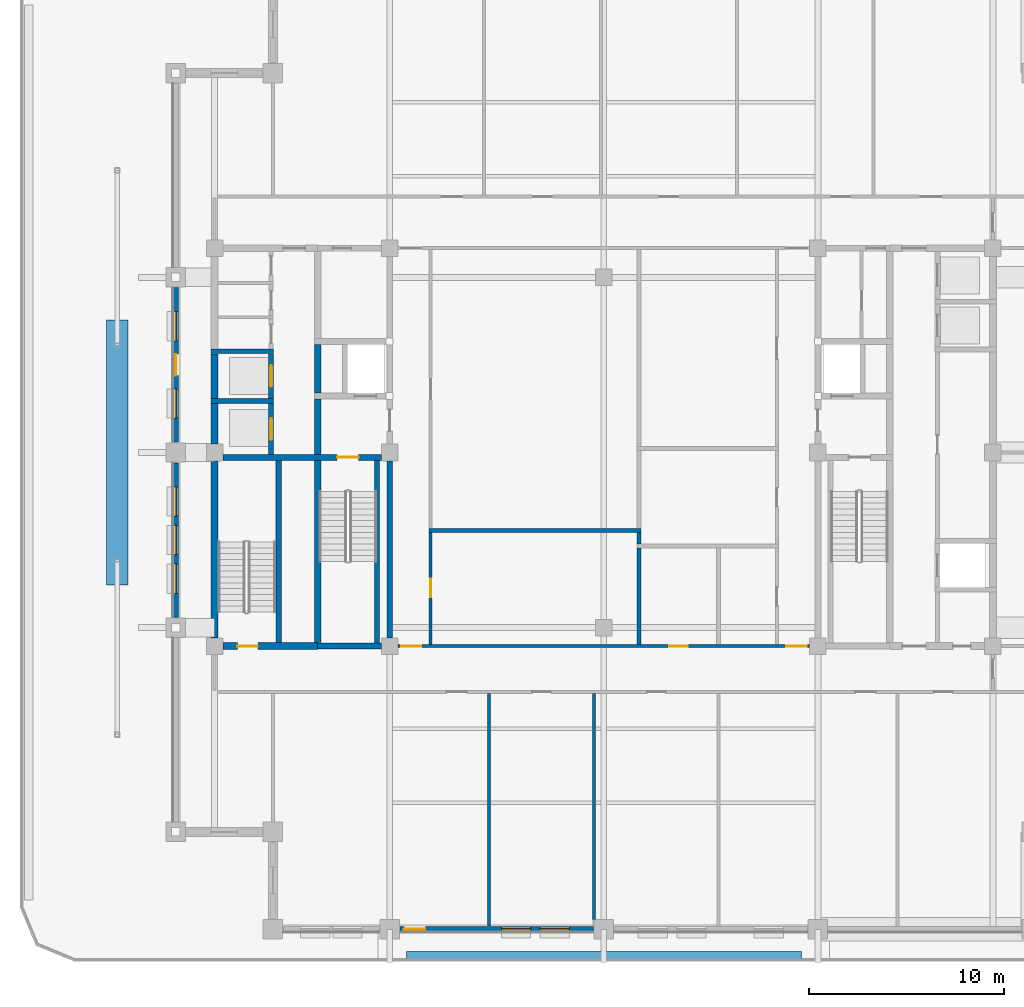
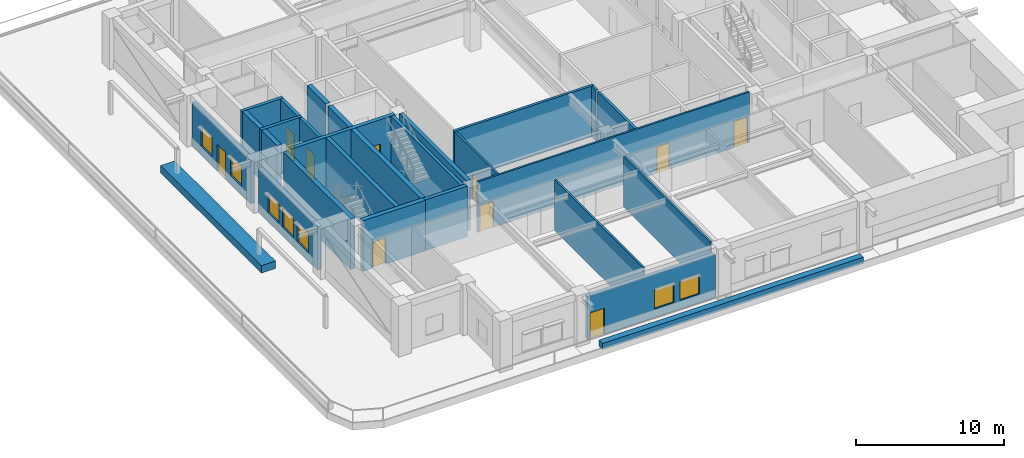
# One storey, part 8 of 20: 28 walls, 10 doors, 7 windows, 17 openings.
"""IFC4 building model written with IfcOpenShell, lengths in metres."""

from ifc_helpers import new_model, si_unit, direction, frame, frame_2d, origin, place, context, subcontext, project, spatial, rectangle, extrude, material, layer, layer_set, type_object, element, fill, save


model = new_model("IFC4")

# Units and contexts
model_context = context("Model", 3, precision=1e-05, world=origin(), true_north=direction((0.0, 1.0)))
body_context = subcontext(model_context, "Body", "Model", "MODEL_VIEW")
ifc_project = project(units=[si_unit("LENGTHUNIT", "METRE"), si_unit("AREAUNIT", "SQUARE_METRE"), si_unit("VOLUMEUNIT", "CUBIC_METRE"), si_unit("PLANEANGLEUNIT", "RADIAN"), si_unit("MASSUNIT", "GRAM", prefix="KILO")], contexts=[model_context])

# Site, building, storey
site_placement = place(None, origin())
site = spatial("IfcSite", under=ifc_project, at=site_placement, CompositionType="ELEMENT")
building_placement = place(site_placement, origin())
building = spatial("IfcBuilding", under=site, at=building_placement, Name="Zulmaris Gate Convention Tower", CompositionType="ELEMENT")
storey_placement = place(building_placement, frame((0.0, 0.0, 158.23974609375)))
storey = spatial("IfcBuildingStorey", under=building, at=storey_placement, Name="L40", CompositionType="ELEMENT", Elevation=158.23974609375)

# Walls
ifc_material_1 = material(Name="Concrete C50/60", Category="concrete")
ifc_layer_1 = layer(ifc_material_1, 0.25, Name="Concrete C50/60")
ifc_layer_set_1 = layer_set([ifc_layer_1], Name="Concrete C50/60")
wall_type_1 = type_object("IfcWallType", Name="CORE-250", PredefinedType="SOLIDWALL", material=ifc_layer_set_1)
for number, where, z_axis, x_axis, name in (
    (1, (-20.175048828125, 2.64990234375, 0.0), (0.0, 0.0, 1.0), (1.0, 0.0, 0.0), "WL-L40-009"),
    (2, (-20.175048828125, 5.199951171875, 0.0), (0.0, 0.0, 1.0), (1.0, 0.0, 0.0), "WL-L40-012"),
):
    element("IfcWall", number, at=place(storey_placement, frame(where, z_axis=z_axis, x_axis=x_axis)), inside=storey, type_object=wall_type_1, Name=name, PredefinedType="SOLIDWALL", context=body_context, shape_type="SweptSolid", body=[
        extrude(rectangle(XDim=3.199951171875, YDim=0.25, at=frame_2d((1.60009765625, 0.0))), origin(), (0.0, 0.0, 1.0), 4.170166015625),
    ])

# Wall, opening, door
wall_1_placement = place(storey_placement, frame((-17.10009765625, -0.097900390625, 0.0), z_axis=(0.0, 0.0, 1.0), x_axis=(0.0, 1.0, 0.0)))
wall_1 = element("IfcWall", 3, at=wall_1_placement, inside=storey, type_object=wall_type_1, Name="WL-L40-037", PredefinedType="SOLIDWALL", context=body_context, shape_type="SweptSolid", body=[
    extrude(rectangle(XDim=2.620849609375, YDim=0.25, at=frame_2d((1.310546875, 0.0))), origin(), (0.0, 0.0, 1.0), 4.170166015625),
])
opening_1_placement = place(wall_1_placement, frame((0.748046875, 0.0, 0.0)))
opening_1 = element("IfcOpeningElement", 4, at=opening_1_placement, cuts=wall_1, Name="Opening D-06", PredefinedType="OPENING", context=body_context, shape_type="SweptSolid", body=[
    extrude(rectangle(XDim=1.10009765625, YDim=2.199951171875, at=frame_2d((0.550048828125, 1.10009765625))), frame((0.0, 0.135009765625, 0.0), z_axis=(0.0, -1.0, 0.0), x_axis=(1.0, 0.0, 0.0)), (0.0, 0.0, 1.0), 0.27001953125),
])
ifc_material_2 = material(Name="Brushed Stainless Steel", Category="steel")
door_type_1 = type_object("IfcDoorType", Name="LD-1100", OperationType="NOTDEFINED", PredefinedType="DOOR", material=ifc_material_2)
door_1_placement = place(opening_1_placement, origin())
door_1 = element("IfcDoor", 5, at=door_1_placement, inside=storey, type_object=door_type_1, Name="L40 Lift Landing Door HP-03 11", OperationType="SLIDING_TO_LEFT", OverallHeight=2.199951171875, OverallWidth=1.10009765625, PredefinedType="DOOR", context=body_context, shape_type="SweptSolid", body=[
    extrude(rectangle(XDim=1.10009765625, YDim=2.199951171875, at=frame_2d((0.550048828125, 1.10009765625))), frame((0.0, 0.02490234375, 0.0), z_axis=(0.0, -1.0, 0.0), x_axis=(1.0, 0.0, 0.0)), (0.0, 0.0, 1.0), 0.050048828125),
])
fill(opening_1, door_1)

wall_2_placement = place(storey_placement, frame((-17.10009765625, 2.777099609375, 0.0), z_axis=(0.0, 0.0, 1.0), x_axis=(0.0, 1.0, 0.0)))
wall_2 = element("IfcWall", 6, at=wall_2_placement, inside=storey, type_object=wall_type_1, Name="WL-L40-038", PredefinedType="SOLIDWALL", context=body_context, shape_type="SweptSolid", body=[
    extrude(rectangle(XDim=2.2958984375, YDim=0.25, at=frame_2d((1.14794921875, 0.0))), origin(), (0.0, 0.0, 1.0), 4.170166015625),
])
opening_2_placement = place(wall_2_placement, frame((0.597900390625, 0.0, 0.0)))
opening_2 = element("IfcOpeningElement", 7, at=opening_2_placement, cuts=wall_2, Name="Opening D-06", PredefinedType="OPENING", context=body_context, shape_type="SweptSolid", body=[
    extrude(rectangle(XDim=1.10009765625, YDim=2.199951171875, at=frame_2d((0.550048828125, 1.10009765625))), frame((0.0, 0.135009765625, 0.0), z_axis=(0.0, -1.0, 0.0), x_axis=(1.0, 0.0, 0.0)), (0.0, 0.0, 1.0), 0.27001953125),
])
door_2_placement = place(opening_2_placement, origin())
door_2 = element("IfcDoor", 8, at=door_2_placement, inside=storey, type_object=door_type_1, Name="L40 Lift Landing Door HP-04 12", OperationType="SLIDING_TO_LEFT", OverallHeight=2.199951171875, OverallWidth=1.10009765625, PredefinedType="DOOR", context=body_context, shape_type="SweptSolid", body=[
    extrude(rectangle(XDim=1.10009765625, YDim=2.199951171875, at=frame_2d((0.550048828125, 1.10009765625))), frame((0.0, 0.02490234375, 0.0), z_axis=(0.0, -1.0, 0.0), x_axis=(1.0, 0.0, 0.0)), (0.0, 0.0, 1.0), 0.050048828125),
])
fill(opening_2, door_2)

# Walls
wall_3_placement = place(storey_placement, frame((-11.64990234375, -9.798095703125, 0.0), z_axis=(0.0, 0.0, 1.0), x_axis=(0.0, 1.0, 0.0)))
element("IfcWall", 9, at=wall_3_placement, inside=storey, type_object=wall_type_1, Name="WL-L40-045", PredefinedType="SOLIDWALL", context=body_context, shape_type="SweptSolid", body=[
    extrude(rectangle(XDim=9.39599609375, YDim=0.25, at=frame_2d((4.697998046875, 0.0))), origin(), (0.0, 0.0, 1.0), 4.170166015625),
])
ifc_layer_2 = layer(ifc_material_1, 0.300048828125, Name="Concrete C50/60")
ifc_layer_set_2 = layer_set([ifc_layer_2], Name="Concrete C50/60")
wall_type_2 = type_object("IfcWallType", Name="CORE-300", PredefinedType="SHEAR", material=ifc_layer_set_2)
wall_4_placement = place(storey_placement, frame((-14.699951171875, -9.949951171875, 0.0), z_axis=(0.0, 0.0, 1.0), x_axis=(1.0, 0.0, 0.0)))
element("IfcWall", 10, at=wall_4_placement, inside=storey, type_object=wall_type_2, Name="WL-L40-002", PredefinedType="SHEAR", context=body_context, shape_type="SweptSolid", body=[
    extrude(rectangle(XDim=3.27099609375, YDim=0.300048828125, at=frame_2d((1.635498046875, 0.0))), origin(), (0.0, 0.0, 1.0), 4.170166015625),
])

# Wall, opening, door
wall_5_placement = place(storey_placement, frame((-19.571044921875, -0.25, 0.0), z_axis=(0.0, 0.0, 1.0), x_axis=(1.0, 0.0, 0.0)))
wall_5 = element("IfcWall", 11, at=wall_5_placement, inside=storey, type_object=wall_type_2, Name="WL-L40-007", PredefinedType="SHEAR", context=body_context, shape_type="SweptSolid", body=[
    extrude(rectangle(XDim=8.14208984375, YDim=0.300048828125, at=frame_2d((4.071044921875, 0.0))), origin(), (0.0, 0.0, 1.0), 4.170166015625),
])
opening_3_placement = place(wall_5_placement, frame((5.87109375, 0.0, 0.0)))
opening_3 = element("IfcOpeningElement", 12, at=opening_3_placement, cuts=wall_5, Name="Opening D-08", PredefinedType="OPENING", context=body_context, shape_type="SweptSolid", body=[
    extrude(rectangle(XDim=1.10009765625, YDim=2.14990234375, at=frame_2d((0.550048828125, 1.074951171875))), frame((0.0, 0.16015625, 0.0), z_axis=(0.0, -1.0, 0.0), x_axis=(1.0, 0.0, 0.0)), (0.0, 0.0, 1.0), 0.320068359375),
])
ifc_material_3 = material(Name="Fire-Rated Steel", Category="steel")
door_type_2 = type_object("IfcDoorType", Name="DR-1100-FD", OperationType="NOTDEFINED", PredefinedType="DOOR", material=ifc_material_3)
door_3_placement = place(opening_3_placement, origin())
door_3 = element("IfcDoor", 13, at=door_3_placement, inside=storey, type_object=door_type_2, Name="L40 Exit Stair ST-1 Door 01", OperationType="SINGLE_SWING_RIGHT", OverallHeight=2.14990234375, OverallWidth=1.10009765625, PredefinedType="DOOR", context=body_context, shape_type="SweptSolid", body=[
    extrude(rectangle(XDim=1.10009765625, YDim=2.14990234375, at=frame_2d((0.550048828125, 1.074951171875))), frame((0.0, 0.02490234375, 0.0), z_axis=(0.0, -1.0, 0.0), x_axis=(1.0, 0.0, 0.0)), (0.0, 0.0, 1.0), 0.050048828125),
])
fill(opening_3, door_3)

# Walls
wall_6_placement = place(storey_placement, frame((-16.699951171875, -9.77294921875, 0.0), z_axis=(0.0, 0.0, 1.0), x_axis=(0.0, 1.0, 0.0)))
element("IfcWall", 14, at=wall_6_placement, inside=storey, type_object=wall_type_2, Name="WL-L40-039", PredefinedType="SHEAR", context=body_context, shape_type="SweptSolid", body=[
    extrude(rectangle(XDim=9.370849609375, YDim=0.300048828125, at=frame_2d((4.685546875, 0.0))), origin(), (0.0, 0.0, 1.0), 4.170166015625),
])
wall_7_placement = place(storey_placement, frame((-11.0, -9.52099609375, 0.0), z_axis=(0.0, 0.0, 1.0), x_axis=(0.0, 1.0, 0.0)))
element("IfcWall", 15, at=wall_7_placement, inside=storey, type_object=wall_type_2, Name="WL-L40-046", PredefinedType="SHEAR", context=body_context, shape_type="SweptSolid", body=[
    extrude(rectangle(XDim=9.092041015625, YDim=0.300048828125, at=frame_2d((4.5458984375, 0.0))), origin(), (0.0, 0.0, 1.0), 4.170166015625),
])

# Wall, opening, door
ifc_material_4 = material(Name="Concrete C55/67", Category="concrete")
ifc_layer_3 = layer(ifc_material_4, 0.35009765625, Name="Concrete C55/67")
ifc_layer_set_3 = layer_set([ifc_layer_3], Name="Concrete C55/67")
wall_type_3 = type_object("IfcWallType", Name="CORE-350", PredefinedType="SHEAR", material=ifc_layer_set_3)
wall_8_placement = place(storey_placement, frame((-19.571044921875, -9.949951171875, 0.0), z_axis=(0.0, 0.0, 1.0), x_axis=(1.0, 0.0, 0.0)))
wall_8 = element("IfcWall", 16, at=wall_8_placement, inside=storey, type_object=wall_type_3, Name="WL-L40-001", PredefinedType="SHEAR", context=body_context, shape_type="SweptSolid", body=[
    extrude(rectangle(XDim=4.87109375, YDim=0.35009765625, at=frame_2d((2.435546875, 0.0))), origin(), (0.0, 0.0, 1.0), 4.170166015625),
])
opening_4_placement = place(wall_8_placement, frame((0.74609375, 0.0, 0.0)))
opening_4 = element("IfcOpeningElement", 17, at=opening_4_placement, cuts=wall_8, Name="Opening D-09", PredefinedType="OPENING", context=body_context, shape_type="SweptSolid", body=[
    extrude(rectangle(XDim=1.050048828125, YDim=2.14990234375, at=frame_2d((0.52490234375, 1.074951171875))), frame((0.0, 0.18505859375, 0.0), z_axis=(0.0, -1.0, 0.0), x_axis=(1.0, 0.0, 0.0)), (0.0, 0.0, 1.0), 0.3701171875),
])
door_type_3 = type_object("IfcDoorType", Name="DR-1050-FD", OperationType="NOTDEFINED", PredefinedType="DOOR", material=ifc_material_3)
door_4_placement = place(opening_4_placement, origin())
door_4 = element("IfcDoor", 18, at=door_4_placement, inside=storey, type_object=door_type_3, Name="L40 Exit Stair ST-3 Door 10", OperationType="SINGLE_SWING_LEFT", OverallHeight=2.14990234375, OverallWidth=1.050048828125, PredefinedType="DOOR", context=body_context, shape_type="SweptSolid", body=[
    extrude(rectangle(XDim=1.050048828125, YDim=2.14990234375, at=frame_2d((0.52490234375, 1.074951171875))), frame((0.0, 0.02490234375, 0.0), z_axis=(0.0, -1.0, 0.0), x_axis=(1.0, 0.0, 0.0)), (0.0, 0.0, 1.0), 0.050048828125),
])
fill(opening_4, door_4)

# Walls
wall_9_placement = place(storey_placement, frame((-20.0, -9.52099609375, 0.0), z_axis=(0.0, 0.0, 1.0), x_axis=(0.0, 1.0, 0.0)))
element("IfcWall", 19, at=wall_9_placement, inside=storey, type_object=wall_type_3, Name="WL-L40-033", PredefinedType="SHEAR", context=body_context, shape_type="SweptSolid", body=[
    extrude(rectangle(XDim=9.092041015625, YDim=0.35009765625, at=frame_2d((4.5458984375, 0.0))), origin(), (0.0, 0.0, 1.0), 4.170166015625),
])
wall_10_placement = place(storey_placement, frame((-20.0, 0.428955078125, 0.0), z_axis=(0.0, 0.0, 1.0), x_axis=(0.0, 1.0, 0.0)))
element("IfcWall", 20, at=wall_10_placement, inside=storey, type_object=wall_type_3, Name="WL-L40-034", PredefinedType="SHEAR", context=body_context, shape_type="SweptSolid", body=[
    extrude(rectangle(XDim=2.093994140625, YDim=0.35009765625, at=frame_2d((1.046875, 0.0))), origin(), (0.0, 0.0, 1.0), 4.170166015625),
])
wall_11_placement = place(storey_placement, frame((-20.0, 2.777099609375, 0.0), z_axis=(0.0, 0.0, 1.0), x_axis=(0.0, 1.0, 0.0)))
element("IfcWall", 21, at=wall_11_placement, inside=storey, type_object=wall_type_3, Name="WL-L40-035", PredefinedType="SHEAR", context=body_context, shape_type="SweptSolid", body=[
    extrude(rectangle(XDim=2.2958984375, YDim=0.35009765625, at=frame_2d((1.14794921875, 0.0))), origin(), (0.0, 0.0, 1.0), 4.170166015625),
])
wall_12_placement = place(storey_placement, frame((-14.699951171875, -9.77294921875, 0.0), z_axis=(0.0, 0.0, 1.0), x_axis=(0.0, 1.0, 0.0)))
element("IfcWall", 22, at=wall_12_placement, inside=storey, type_object=wall_type_3, Name="WL-L40-040", PredefinedType="SHEAR", context=body_context, shape_type="SweptSolid", body=[
    extrude(rectangle(XDim=9.370849609375, YDim=0.35009765625, at=frame_2d((4.685546875, 0.0))), origin(), (0.0, 0.0, 1.0), 4.170166015625),
])
wall_13_placement = place(storey_placement, frame((-14.699951171875, -0.097900390625, 0.0), z_axis=(0.0, 0.0, 1.0), x_axis=(0.0, 1.0, 0.0)))
element("IfcWall", 23, at=wall_13_placement, inside=storey, type_object=wall_type_3, Name="WL-L40-041", PredefinedType="SHEAR", context=body_context, shape_type="SweptSolid", body=[
    extrude(rectangle(XDim=2.845947265625, YDim=0.35009765625, at=frame_2d((1.4228515625, 0.0))), origin(), (0.0, 0.0, 1.0), 4.170166015625),
])
wall_14_placement = place(storey_placement, frame((-14.699951171875, 3.052001953125, 0.0), z_axis=(0.0, 0.0, 1.0), x_axis=(0.0, 1.0, 0.0)))
element("IfcWall", 24, at=wall_14_placement, inside=storey, type_object=wall_type_3, Name="WL-L40-042", PredefinedType="SHEAR", context=body_context, shape_type="SweptSolid", body=[
    extrude(rectangle(XDim=2.49609375, YDim=0.35009765625, at=frame_2d((1.248046875, 0.0))), origin(), (0.0, 0.0, 1.0), 4.170166015625),
])

# Wall, openings, doors
ifc_material_5 = material(Name="Gypsum Metal Stud Partition")
ifc_layer_4 = layer(ifc_material_5, 0.14990234375, Name="Gypsum Metal Stud Partition")
ifc_layer_set_4 = layer_set([ifc_layer_4], Name="Gypsum Metal Stud Partition")
wall_type_4 = type_object("IfcWallType", Name="PART-150", PredefinedType="PARTITIONING", material=ifc_layer_set_4)
wall_15_placement = place(storey_placement, frame((-10.569091796875, -9.949951171875, 0.0), z_axis=(0.0, 0.0, 1.0), x_axis=(1.0, 0.0, 0.0)))
wall_15 = element("IfcWall", 25, at=wall_15_placement, inside=storey, type_object=wall_type_4, Name="WL-L40-022", PredefinedType="PARTITIONING", context=body_context, shape_type="SweptSolid", body=[
    extrude(rectangle(XDim=21.13818359375, YDim=0.14990234375, at=frame_2d((10.569091796875, 0.0))), origin(), (0.0, 0.0, 1.0), 4.170166015625),
])
opening_5_placement = place(wall_15_placement, frame((0.14990234375, 0.0, 0.0)))
opening_5 = element("IfcOpeningElement", 26, at=opening_5_placement, cuts=wall_15, Name="Opening D-09", PredefinedType="OPENING", context=body_context, shape_type="SweptSolid", body=[
    extrude(rectangle(XDim=1.050048828125, YDim=2.14990234375, at=frame_2d((0.52490234375, 1.074951171875))), frame((0.0, 0.0849609375, 0.0), z_axis=(0.0, -1.0, 0.0), x_axis=(1.0, 0.0, 0.0)), (0.0, 0.0, 1.0), 0.169921875),
])
opening_6_placement = place(wall_15_placement, frame((19.93798828125, 0.0, 0.0)))
opening_6 = element("IfcOpeningElement", 27, at=opening_6_placement, cuts=wall_15, Name="Opening D-09", PredefinedType="OPENING", context=body_context, shape_type="SweptSolid", body=[
    extrude(rectangle(XDim=1.050048828125, YDim=2.14990234375, at=frame_2d((0.52490234375, 1.074951171875))), frame((0.0, 0.0849609375, 0.0), z_axis=(0.0, -1.0, 0.0), x_axis=(1.0, 0.0, 0.0)), (0.0, 0.0, 1.0), 0.169921875),
])
opening_7_placement = place(wall_15_placement, frame((13.944091796875, 0.0, 0.0)))
opening_7 = element("IfcOpeningElement", 28, at=opening_7_placement, cuts=wall_15, Name="Opening D-11", PredefinedType="OPENING", context=body_context, shape_type="SweptSolid", body=[
    extrude(rectangle(XDim=0.949951171875, YDim=2.14990234375, at=frame_2d((0.47509765625, 1.074951171875))), frame((0.0, 0.0849609375, 0.0), z_axis=(0.0, -1.0, 0.0), x_axis=(1.0, 0.0, 0.0)), (0.0, 0.0, 1.0), 0.169921875),
])
door_5_placement = place(opening_5_placement, origin())
door_5 = element("IfcDoor", 29, at=door_5_placement, inside=storey, type_object=door_type_3, Name="L40 SW Hotel Loop Door 25", OperationType="SINGLE_SWING_LEFT", OverallHeight=2.14990234375, OverallWidth=1.050048828125, PredefinedType="DOOR", context=body_context, shape_type="SweptSolid", body=[
    extrude(rectangle(XDim=1.050048828125, YDim=2.14990234375, at=frame_2d((0.52490234375, 1.074951171875))), frame((0.0, 0.02490234375, 0.0), z_axis=(0.0, -1.0, 0.0), x_axis=(1.0, 0.0, 0.0)), (0.0, 0.0, 1.0), 0.050048828125),
])
fill(opening_5, door_5)
door_6_placement = place(opening_6_placement, origin())
door_6 = element("IfcDoor", 30, at=door_6_placement, inside=storey, type_object=door_type_3, Name="L40 SE Hotel Loop Door 27", OperationType="SINGLE_SWING_LEFT", OverallHeight=2.14990234375, OverallWidth=1.050048828125, PredefinedType="DOOR", context=body_context, shape_type="SweptSolid", body=[
    extrude(rectangle(XDim=1.050048828125, YDim=2.14990234375, at=frame_2d((0.52490234375, 1.074951171875))), frame((0.0, 0.02490234375, 0.0), z_axis=(0.0, -1.0, 0.0), x_axis=(1.0, 0.0, 0.0)), (0.0, 0.0, 1.0), 0.050048828125),
])
fill(opening_6, door_6)
ifc_material_6 = material(Name="Fire-Rated Timber", Category="wood")
door_type_4 = type_object("IfcDoorType", Name="DR-950-FD", OperationType="NOTDEFINED", PredefinedType="DOOR", material=ifc_material_6)
door_7_placement = place(opening_7_placement, origin())
door_7 = element("IfcDoor", 31, at=door_7_placement, inside=storey, type_object=door_type_4, Name="L40 Print Room Door 43", OperationType="SINGLE_SWING_LEFT", OverallHeight=2.14990234375, OverallWidth=0.949951171875, PredefinedType="DOOR", context=body_context, shape_type="SweptSolid", body=[
    extrude(rectangle(XDim=0.949951171875, YDim=2.14990234375, at=frame_2d((0.47509765625, 1.074951171875))), frame((0.0, 0.02490234375, 0.0), z_axis=(0.0, -1.0, 0.0), x_axis=(1.0, 0.0, 0.0)), (0.0, 0.0, 1.0), 0.050048828125),
])
fill(opening_7, door_7)

# Wall, opening, door
wall_16_placement = place(storey_placement, frame((-8.89990234375, -9.8720703125, 0.0), z_axis=(0.0, 0.0, 1.0), x_axis=(0.0, 1.0, 0.0)))
wall_16 = element("IfcWall", 32, at=wall_16_placement, inside=storey, type_object=wall_type_4, Name="WL-L40-075", PredefinedType="PARTITIONING", context=body_context, shape_type="SweptSolid", body=[
    extrude(rectangle(XDim=5.76904296875, YDim=0.14990234375, at=frame_2d((2.884521484375, 0.0))), origin(), (0.0, 0.0, 1.0), 4.170166015625),
])
opening_8_placement = place(wall_16_placement, frame((2.427001953125, 0.0, 0.0)))
opening_8 = element("IfcOpeningElement", 33, at=opening_8_placement, cuts=wall_16, Name="Opening D-11", PredefinedType="OPENING", context=body_context, shape_type="SweptSolid", body=[
    extrude(rectangle(XDim=0.949951171875, YDim=2.14990234375, at=frame_2d((0.47509765625, 1.074951171875))), frame((0.0, 0.0849609375, 0.0), z_axis=(0.0, -1.0, 0.0), x_axis=(1.0, 0.0, 0.0)), (0.0, 0.0, 1.0), 0.169921875),
])
door_8_placement = place(opening_8_placement, origin())
door_8 = element("IfcDoor", 34, at=door_8_placement, inside=storey, type_object=door_type_4, Name="L40 Wellness Pantry Door 39", OperationType="SINGLE_SWING_LEFT", OverallHeight=2.14990234375, OverallWidth=0.949951171875, PredefinedType="DOOR", context=body_context, shape_type="SweptSolid", body=[
    extrude(rectangle(XDim=0.949951171875, YDim=2.14990234375, at=frame_2d((0.47509765625, 1.074951171875))), frame((0.0, 0.02490234375, 0.0), z_axis=(0.0, -1.0, 0.0), x_axis=(1.0, 0.0, 0.0)), (0.0, 0.0, 1.0), 0.050048828125),
])
fill(opening_8, door_8)

# Walls
wall_17_placement = place(storey_placement, frame((-5.89990234375, -24.3349609375, 0.0), z_axis=(0.0, 0.0, 1.0), x_axis=(0.0, 1.0, 0.0)))
element("IfcWall", 35, at=wall_17_placement, inside=storey, type_object=wall_type_4, Name="WL-L40-078", PredefinedType="PARTITIONING", context=body_context, shape_type="SweptSolid", body=[
    extrude(rectangle(XDim=11.95703125, YDim=0.14990234375, at=frame_2d((5.978515625, 0.0))), origin(), (0.0, 0.0, 1.0), 4.170166015625),
])
wall_18_placement = place(storey_placement, frame((-0.5, -23.993896484375, 0.0), z_axis=(0.0, 0.0, 1.0), x_axis=(0.0, 1.0, 0.0)))
element("IfcWall", 36, at=wall_18_placement, inside=storey, type_object=wall_type_4, Name="WL-L40-079", PredefinedType="PARTITIONING", context=body_context, shape_type="SweptSolid", body=[
    extrude(rectangle(XDim=11.615966796875, YDim=0.14990234375, at=frame_2d((5.80810546875, 0.0))), origin(), (0.0, 0.0, 1.0), 4.170166015625),
])
ifc_material_7 = material(Name="Autoclaved Aerated Concrete Block and Plasterboard", Category="concrete")
ifc_layer_5 = layer(ifc_material_7, 0.199951171875, Name="Autoclaved Aerated Concrete Block and Plasterboard")
ifc_layer_set_5 = layer_set([ifc_layer_5], Name="Autoclaved Aerated Concrete Block and Plasterboard")
wall_type_5 = type_object("IfcWallType", Name="PART-200", PredefinedType="PARTITIONING", material=ifc_layer_set_5)
wall_19_placement = place(storey_placement, frame((-8.97509765625, -4.0, 0.0), z_axis=(0.0, 0.0, 1.0), x_axis=(1.0, 0.0, 0.0)))
element("IfcWall", 37, at=wall_19_placement, inside=storey, type_object=wall_type_5, Name="WL-L40-025", PredefinedType="PARTITIONING", context=body_context, shape_type="SweptSolid", body=[
    extrude(rectangle(XDim=10.875, YDim=0.199951171875, at=frame_2d((5.4375, 0.0))), origin(), (0.0, 0.0, 1.0), 4.170166015625),
])
wall_20_placement = place(storey_placement, frame((1.800048828125, -9.8720703125, 0.0), z_axis=(0.0, 0.0, 1.0), x_axis=(0.0, 1.0, 0.0)))
element("IfcWall", 38, at=wall_20_placement, inside=storey, type_object=wall_type_5, Name="WL-L40-081", PredefinedType="PARTITIONING", context=body_context, shape_type="SweptSolid", body=[
    extrude(rectangle(XDim=4.968994140625, YDim=0.199951171875, at=frame_2d((2.484375, 0.0))), origin(), (0.0, 0.0, 1.0), 4.170166015625),
])
wall_21_placement = place(storey_placement, frame((1.800048828125, -4.697021484375, 0.0), z_axis=(0.0, 0.0, 1.0), x_axis=(0.0, 1.0, 0.0)))
element("IfcWall", 39, at=wall_21_placement, inside=storey, type_object=wall_type_5, Name="WL-L40-082", PredefinedType="PARTITIONING", context=body_context, shape_type="SweptSolid", body=[
    extrude(rectangle(XDim=0.593994140625, YDim=0.199951171875, at=frame_2d((0.296875, 0.0))), origin(), (0.0, 0.0, 1.0), 4.170166015625),
])
ifc_material_8 = material(Name="Botanical Green Glazed Precast Concrete C40/50", Category="concrete")
ifc_layer_6 = layer(ifc_material_8, 0.419921875, Name="Botanical Green Glazed Precast Concrete C40/50")
ifc_layer_set_6 = layer_set([ifc_layer_6], Name="Botanical Green Glazed Precast Concrete C40/50")
wall_type_6 = type_object("IfcWallType", Name="PLANTER-CURB-200", PredefinedType="PARAPET", material=ifc_layer_set_6)
wall_22_placement = place(storey_placement, frame((-10.14990234375, -25.8798828125, -0.0400390625), z_axis=(0.0, 0.0, 1.0), x_axis=(1.0, 0.0, 0.0)))
element("IfcWall", 40, at=wall_22_placement, inside=storey, type_object=wall_type_6, Name="L40 Full-Length Balcony Tree Planter Trough", PredefinedType="PARAPET", context=body_context, shape_type="SweptSolid", body=[
    extrude(rectangle(XDim=20.2998046875, YDim=0.47998046875, at=frame_2d((10.14990234375, 0.0))), origin(), (0.0, 0.0, 1.0), 0.52001953125),
])
wall_23_placement = place(storey_placement, frame((-25.0, -6.800048828125, -0.0400390625), z_axis=(0.0, 0.0, 1.0), x_axis=(0.0, 1.0, 0.0)))
element("IfcWall", 41, at=wall_23_placement, inside=storey, type_object=wall_type_6, Name="L40 Block-End Terrace Tree Planter Bed", PredefinedType="PARAPET", context=body_context, shape_type="SweptSolid", body=[
    extrude(rectangle(XDim=13.60009765625, YDim=1.10009765625, at=frame_2d((6.800048828125, 0.0))), origin(), (0.0, 0.0, 1.0), 0.60009765625),
])

# Wall, openings, door, windows
ifc_material_9 = material(Name="Precast concrete C40/50", Category="concrete")
ifc_layer_7 = layer(ifc_material_9, 0.300048828125, Name="Precast concrete C40/50")
ifc_layer_set_7 = layer_set([ifc_layer_7], Name="Precast concrete C40/50")
wall_type_7 = type_object("IfcWallType", Name="PRECAST-PIER-300", PredefinedType="STANDARD", material=ifc_layer_set_7)
wall_24_placement = place(storey_placement, frame((-10.469970703125, -24.5, 0.0), z_axis=(0.0, 0.0, 1.0), x_axis=(1.0, 0.0, 0.0)))
wall_24 = element("IfcWall", 42, at=wall_24_placement, inside=storey, type_object=wall_type_7, Name="EW-L40-S-1_0", PredefinedType="STANDARD", context=body_context, shape_type="SweptSolid", body=[
    extrude(rectangle(XDim=9.93994140625, YDim=0.300048828125, at=frame_2d((4.969970703125, 0.0))), origin(), (0.0, 0.0, 1.0), 3.562255859375),
])
opening_9_placement = place(wall_24_placement, frame((0.199951171875, 0.0, 0.0)))
opening_9 = element("IfcOpeningElement", 43, at=opening_9_placement, cuts=wall_24, Name="Opening D-04", PredefinedType="OPENING", context=body_context, shape_type="SweptSolid", body=[
    extrude(rectangle(XDim=1.10009765625, YDim=2.14990234375, at=frame_2d((0.550048828125, 1.074951171875))), frame((0.0, 0.16015625, 0.0), z_axis=(0.0, -1.0, 0.0), x_axis=(1.0, 0.0, 0.0)), (0.0, 0.0, 1.0), 0.320068359375),
])
opening_10_placement = place(wall_24_placement, frame((5.214111328125, 0.0, 0.719970703125)))
opening_10 = element("IfcOpeningElement", 44, at=opening_10_placement, cuts=wall_24, Name="Opening W-03", PredefinedType="OPENING", context=body_context, shape_type="SweptSolid", body=[
    extrude(rectangle(XDim=1.5, YDim=1.60009765625, at=frame_2d((0.75, 0.800048828125))), frame((0.0, 0.16015625, 0.0), z_axis=(0.0, -1.0, 0.0), x_axis=(1.0, 0.0, 0.0)), (0.0, 0.0, 1.0), 0.320068359375),
])
opening_11_placement = place(wall_24_placement, frame((7.201904296875, 0.0, 0.719970703125)))
opening_11 = element("IfcOpeningElement", 45, at=opening_11_placement, cuts=wall_24, Name="Opening W-03", PredefinedType="OPENING", context=body_context, shape_type="SweptSolid", body=[
    extrude(rectangle(XDim=1.5, YDim=1.60009765625, at=frame_2d((0.75, 0.800048828125))), frame((0.0, 0.16015625, 0.0), z_axis=(0.0, -1.0, 0.0), x_axis=(1.0, 0.0, 0.0)), (0.0, 0.0, 1.0), 0.320068359375),
])
ifc_material_10 = material(Name="Anodised Aluminium and Laminated Glass", Category="aluminium")
door_type_5 = type_object("IfcDoorType", Name="ED-1100", OperationType="SINGLE_SWING_RIGHT", PredefinedType="DOOR", material=ifc_material_10)
door_9_placement = place(opening_9_placement, origin())
door_9 = element("IfcDoor", 46, at=door_9_placement, inside=storey, type_object=door_type_5, Name="L40 S Planted Terrace Door", OperationType="SINGLE_SWING_RIGHT", OverallHeight=2.14990234375, OverallWidth=1.10009765625, PredefinedType="DOOR", context=body_context, shape_type="SweptSolid", body=[
    extrude(rectangle(XDim=1.10009765625, YDim=2.14990234375, at=frame_2d((0.550048828125, 1.074951171875))), frame((0.0, 0.02490234375, 0.0), z_axis=(0.0, -1.0, 0.0), x_axis=(1.0, 0.0, 0.0)), (0.0, 0.0, 1.0), 0.050048828125),
])
fill(opening_9, door_9)
ifc_material_11 = material(Name="Low-E Laminated Double Glazing in Aluminium Frame", Category="aluminium")
window_type = type_object("IfcWindowType", Name="WIN-1500x2100", PartitioningType="SINGLE_PANEL", PredefinedType="WINDOW", material=ifc_material_11)
window_1_placement = place(opening_10_placement, origin())
window_1 = element("IfcWindow", 47, at=window_1_placement, inside=storey, type_object=window_type, Name="WN-EW-L40-S-1_0-3", OverallHeight=1.60009765625, OverallWidth=1.5, PartitioningType="SINGLE_PANEL", PredefinedType="WINDOW", context=body_context, shape_type="SweptSolid", body=[
    extrude(rectangle(XDim=1.5, YDim=1.60009765625, at=frame_2d((0.75, 0.800048828125))), frame((0.0, 0.030029296875, 0.0), z_axis=(0.0, -1.0, 0.0), x_axis=(1.0, 0.0, 0.0)), (0.0, 0.0, 1.0), 0.06005859375),
])
fill(opening_10, window_1)
window_2_placement = place(opening_11_placement, origin())
window_2 = element("IfcWindow", 48, at=window_2_placement, inside=storey, type_object=window_type, Name="WN-EW-L40-S-1_0-4", OverallHeight=1.60009765625, OverallWidth=1.5, PartitioningType="SINGLE_PANEL", PredefinedType="WINDOW", context=body_context, shape_type="SweptSolid", body=[
    extrude(rectangle(XDim=1.5, YDim=1.60009765625, at=frame_2d((0.75, 0.800048828125))), frame((0.0, 0.030029296875, 0.0), z_axis=(0.0, -1.0, 0.0), x_axis=(1.0, 0.0, 0.0)), (0.0, 0.0, 1.0), 0.06005859375),
])
fill(opening_11, window_2)

# Wall, openings, windows
wall_25_placement = place(storey_placement, frame((-22.0, -0.530029296875, 0.0), z_axis=(0.0, 0.0, 1.0), x_axis=(0.0, -1.0, 0.0)))
wall_25 = element("IfcWall", 49, at=wall_25_placement, inside=storey, type_object=wall_type_7, Name="EW-L40-W-1_0", PredefinedType="STANDARD", context=body_context, shape_type="SweptSolid", body=[
    extrude(rectangle(XDim=7.93994140625, YDim=0.300048828125, at=frame_2d((3.969970703125, 0.0))), origin(), (0.0, 0.0, 1.0), 3.562255859375),
])
opening_12_placement = place(wall_25_placement, frame((1.235107421875, 0.0, 0.719970703125)))
opening_12 = element("IfcOpeningElement", 50, at=opening_12_placement, cuts=wall_25, Name="Opening W-03", PredefinedType="OPENING", context=body_context, shape_type="SweptSolid", body=[
    extrude(rectangle(XDim=1.5, YDim=1.60009765625, at=frame_2d((0.75, 0.800048828125))), frame((0.0, 0.16015625, 0.0), z_axis=(0.0, -1.0, 0.0), x_axis=(1.0, 0.0, 0.0)), (0.0, 0.0, 1.0), 0.320068359375),
])
opening_13_placement = place(wall_25_placement, frame((3.219970703125, 0.0, 0.719970703125)))
opening_13 = element("IfcOpeningElement", 51, at=opening_13_placement, cuts=wall_25, Name="Opening W-03", PredefinedType="OPENING", context=body_context, shape_type="SweptSolid", body=[
    extrude(rectangle(XDim=1.5, YDim=1.60009765625, at=frame_2d((0.75, 0.800048828125))), frame((0.0, 0.16015625, 0.0), z_axis=(0.0, -1.0, 0.0), x_axis=(1.0, 0.0, 0.0)), (0.0, 0.0, 1.0), 0.320068359375),
])
opening_14_placement = place(wall_25_placement, frame((5.205078125, 0.0, 0.719970703125)))
opening_14 = element("IfcOpeningElement", 52, at=opening_14_placement, cuts=wall_25, Name="Opening W-03", PredefinedType="OPENING", context=body_context, shape_type="SweptSolid", body=[
    extrude(rectangle(XDim=1.5, YDim=1.60009765625, at=frame_2d((0.75, 0.800048828125))), frame((0.0, 0.16015625, 0.0), z_axis=(0.0, -1.0, 0.0), x_axis=(1.0, 0.0, 0.0)), (0.0, 0.0, 1.0), 0.320068359375),
])
window_3_placement = place(opening_12_placement, origin())
window_3 = element("IfcWindow", 53, at=window_3_placement, inside=storey, type_object=window_type, Name="WN-EW-L40-W-1_0-1", OverallHeight=1.60009765625, OverallWidth=1.5, PartitioningType="SINGLE_PANEL", PredefinedType="WINDOW", context=body_context, shape_type="SweptSolid", body=[
    extrude(rectangle(XDim=1.5, YDim=1.60009765625, at=frame_2d((0.75, 0.800048828125))), frame((0.0, 0.030029296875, 0.0), z_axis=(0.0, -1.0, 0.0), x_axis=(1.0, 0.0, 0.0)), (0.0, 0.0, 1.0), 0.06005859375),
])
fill(opening_12, window_3)
window_4_placement = place(opening_13_placement, origin())
window_4 = element("IfcWindow", 54, at=window_4_placement, inside=storey, type_object=window_type, Name="WN-EW-L40-W-1_0-2", OverallHeight=1.60009765625, OverallWidth=1.5, PartitioningType="SINGLE_PANEL", PredefinedType="WINDOW", context=body_context, shape_type="SweptSolid", body=[
    extrude(rectangle(XDim=1.5, YDim=1.60009765625, at=frame_2d((0.75, 0.800048828125))), frame((0.0, 0.030029296875, 0.0), z_axis=(0.0, -1.0, 0.0), x_axis=(1.0, 0.0, 0.0)), (0.0, 0.0, 1.0), 0.06005859375),
])
fill(opening_13, window_4)
window_5_placement = place(opening_14_placement, origin())
window_5 = element("IfcWindow", 55, at=window_5_placement, inside=storey, type_object=window_type, Name="WN-EW-L40-W-1_0-3", OverallHeight=1.60009765625, OverallWidth=1.5, PartitioningType="SINGLE_PANEL", PredefinedType="WINDOW", context=body_context, shape_type="SweptSolid", body=[
    extrude(rectangle(XDim=1.5, YDim=1.60009765625, at=frame_2d((0.75, 0.800048828125))), frame((0.0, 0.030029296875, 0.0), z_axis=(0.0, -1.0, 0.0), x_axis=(1.0, 0.0, 0.0)), (0.0, 0.0, 1.0), 0.06005859375),
])
fill(opening_14, window_5)

# Wall, openings, door, windows
wall_26_placement = place(storey_placement, frame((-22.0, 8.469970703125, 0.0), z_axis=(0.0, 0.0, 1.0), x_axis=(0.0, -1.0, 0.0)))
wall_26 = element("IfcWall", 56, at=wall_26_placement, inside=storey, type_object=wall_type_7, Name="EW-L40-W-2_0", PredefinedType="STANDARD", context=body_context, shape_type="SweptSolid", body=[
    extrude(rectangle(XDim=7.93994140625, YDim=0.300048828125, at=frame_2d((3.969970703125, 0.0))), origin(), (0.0, 0.0, 1.0), 3.562255859375),
])
opening_15_placement = place(wall_26_placement, frame((3.419921875, 0.0, 0.0)))
opening_15 = element("IfcOpeningElement", 57, at=opening_15_placement, cuts=wall_26, Name="Opening D-04", PredefinedType="OPENING", context=body_context, shape_type="SweptSolid", body=[
    extrude(rectangle(XDim=1.10009765625, YDim=2.14990234375, at=frame_2d((0.550048828125, 1.074951171875))), frame((0.0, 0.16015625, 0.0), z_axis=(0.0, -1.0, 0.0), x_axis=(1.0, 0.0, 0.0)), (0.0, 0.0, 1.0), 0.320068359375),
])
opening_16_placement = place(wall_26_placement, frame((1.235107421875, 0.0, 0.719970703125)))
opening_16 = element("IfcOpeningElement", 58, at=opening_16_placement, cuts=wall_26, Name="Opening W-03", PredefinedType="OPENING", context=body_context, shape_type="SweptSolid", body=[
    extrude(rectangle(XDim=1.5, YDim=1.60009765625, at=frame_2d((0.75, 0.800048828125))), frame((0.0, 0.16015625, 0.0), z_axis=(0.0, -1.0, 0.0), x_axis=(1.0, 0.0, 0.0)), (0.0, 0.0, 1.0), 0.320068359375),
])
opening_17_placement = place(wall_26_placement, frame((5.205078125, 0.0, 0.719970703125)))
opening_17 = element("IfcOpeningElement", 59, at=opening_17_placement, cuts=wall_26, Name="Opening W-03", PredefinedType="OPENING", context=body_context, shape_type="SweptSolid", body=[
    extrude(rectangle(XDim=1.5, YDim=1.60009765625, at=frame_2d((0.75, 0.800048828125))), frame((0.0, 0.16015625, 0.0), z_axis=(0.0, -1.0, 0.0), x_axis=(1.0, 0.0, 0.0)), (0.0, 0.0, 1.0), 0.320068359375),
])
door_10_placement = place(opening_15_placement, origin())
door_10 = element("IfcDoor", 60, at=door_10_placement, inside=storey, type_object=door_type_5, Name="L40 Block-End Planted Roof Terrace Door", OperationType="SINGLE_SWING_LEFT", OverallHeight=2.14990234375, OverallWidth=1.10009765625, PredefinedType="DOOR", context=body_context, shape_type="SweptSolid", body=[
    extrude(rectangle(XDim=1.10009765625, YDim=2.14990234375, at=frame_2d((0.550048828125, 1.074951171875))), frame((0.0, 0.02490234375, 0.0), z_axis=(0.0, -1.0, 0.0), x_axis=(1.0, 0.0, 0.0)), (0.0, 0.0, 1.0), 0.050048828125),
])
fill(opening_15, door_10)
window_6_placement = place(opening_16_placement, origin())
window_6 = element("IfcWindow", 61, at=window_6_placement, inside=storey, type_object=window_type, Name="WN-EW-L40-W-2_0-1", OverallHeight=1.60009765625, OverallWidth=1.5, PartitioningType="SINGLE_PANEL", PredefinedType="WINDOW", context=body_context, shape_type="SweptSolid", body=[
    extrude(rectangle(XDim=1.5, YDim=1.60009765625, at=frame_2d((0.75, 0.800048828125))), frame((0.0, 0.030029296875, 0.0), z_axis=(0.0, -1.0, 0.0), x_axis=(1.0, 0.0, 0.0)), (0.0, 0.0, 1.0), 0.06005859375),
])
fill(opening_16, window_6)
window_7_placement = place(opening_17_placement, origin())
window_7 = element("IfcWindow", 62, at=window_7_placement, inside=storey, type_object=window_type, Name="WN-EW-L40-W-2_0-3", OverallHeight=1.60009765625, OverallWidth=1.5, PartitioningType="SINGLE_PANEL", PredefinedType="WINDOW", context=body_context, shape_type="SweptSolid", body=[
    extrude(rectangle(XDim=1.5, YDim=1.60009765625, at=frame_2d((0.75, 0.800048828125))), frame((0.0, 0.030029296875, 0.0), z_axis=(0.0, -1.0, 0.0), x_axis=(1.0, 0.0, 0.0)), (0.0, 0.0, 1.0), 0.06005859375),
])
fill(opening_17, window_7)

save(model, "model.ifc")
